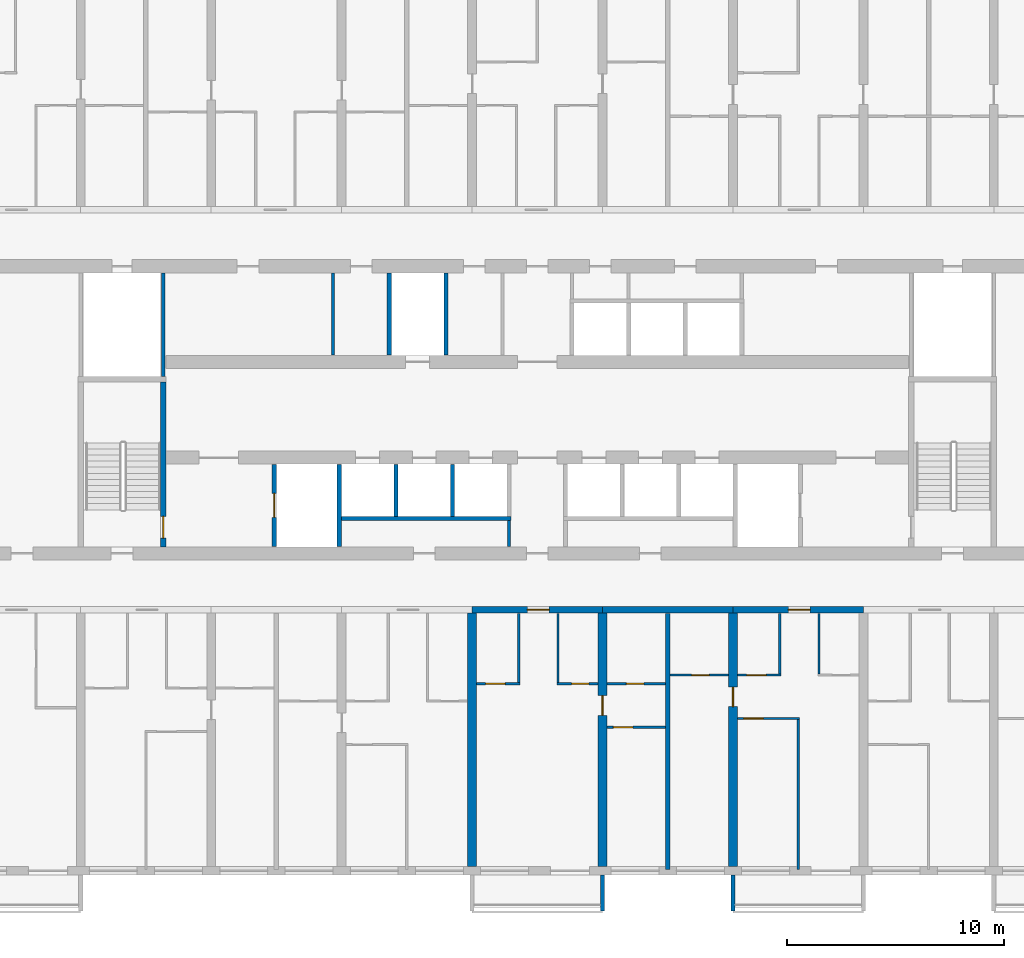
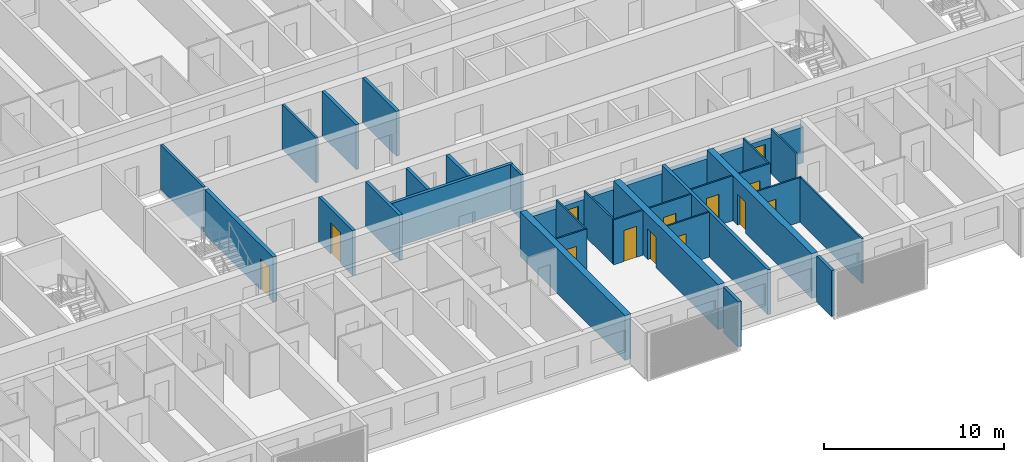
# One storey, part 6 of 40: 32 walls, 13 doors, 13 openings.
"""IFC4 building model written with IfcOpenShell, lengths in metres."""

from ifc_helpers import new_model, si_unit, direction, frame, frame_2d, origin, place, context, subcontext, project, spatial, polyline, rectangle, outline, extrude, source, transform, mapped, material, layer, layer_set, type_object, element, fill, save


model = new_model("IFC4")

# Units and contexts
model_context = context("Model", 3, precision=1e-05, world=origin(), true_north=direction((0.0, 1.0)))
body_context = subcontext(model_context, "Body", "Model", "MODEL_VIEW")
ifc_project = project(units=[si_unit("LENGTHUNIT", "METRE"), si_unit("AREAUNIT", "SQUARE_METRE"), si_unit("VOLUMEUNIT", "CUBIC_METRE"), si_unit("PLANEANGLEUNIT", "RADIAN"), si_unit("MASSUNIT", "GRAM", prefix="KILO")], contexts=[model_context])

# Site, building, storey
site_placement = place(None, origin())
site = spatial("IfcSite", under=ifc_project, at=site_placement, CompositionType="ELEMENT")
building_placement = place(site_placement, origin())
building = spatial("IfcBuilding", under=site, at=building_placement, Name="Poui Terraces", CompositionType="ELEMENT")
storey_placement = place(building_placement, frame((0.0, 0.0, 33.300048828125)))
storey = spatial("IfcBuildingStorey", under=building, at=storey_placement, Name="L08", CompositionType="ELEMENT", Elevation=33.300048828125)

# Wall
ifc_material_1 = material(Name="Fire-rated plasterboard wall")
ifc_layer_1 = layer(ifc_material_1, 0.14990234375)
ifc_layer_set_1 = layer_set([ifc_layer_1], Name="Fire-rated plasterboard wall")
wall_type_1 = type_object("IfcWallType", Name="CORRIDOR WALL 150", PredefinedType="PARTITIONING", material=ifc_layer_set_1)
wall_1_placement = place(storey_placement, frame((49.699951171875, 14.909912109375, 0.0), z_axis=(0.0, 0.0, 1.0), x_axis=(0.0, 1.0, 0.0)))
element("IfcWall", 1, at=wall_1_placement, inside=storey, type_object=wall_type_1, Name="CORRIDOR WALL 150", PredefinedType="PARTITIONING", context=body_context, shape_type="SweptSolid", body=[
    extrude(rectangle(XDim=1.190185546875, YDim=0.14990234375, at=frame_2d((0.59521484375, 0.0))), origin(), (0.0, 0.0, 1.0), 3.050048828125),
])

# Wall, opening, door
ifc_material_2 = material(Name="Concrete 80 MPa", Category="concrete")
ifc_layer_2 = layer(ifc_material_2, 0.300048828125)
ifc_layer_set_2 = layer_set([ifc_layer_2], Name="Concrete 80 MPa")
wall_type_2 = type_object("IfcWallType", Name="CORRIDOR WALL 300 80MPa", PredefinedType="SHEAR", material=ifc_layer_set_2)
wall_2_placement = place(storey_placement, frame((48.0, 12.0, 0.0), z_axis=(0.0, 0.0, 1.0), x_axis=(1.0, 0.0, 0.0)))
wall_2 = element("IfcWall", 2, at=wall_2_placement, inside=storey, type_object=wall_type_2, Name="CORRIDOR WALL LINE B BAY 9", PredefinedType="SHEAR", context=body_context, shape_type="SweptSolid", body=[
    extrude(rectangle(XDim=6.0, YDim=0.300048828125, at=frame_2d((3.0, 0.0))), origin(), (0.0, 0.0, 1.0), 2.449951171875),
])
opening_1_placement = place(wall_2_placement, frame((2.550048828125, 0.0, 0.0)))
opening_1 = element("IfcOpeningElement", 3, at=opening_1_placement, cuts=wall_2, Name="Opening FD30S", PredefinedType="OPENING", context=body_context, shape_type="SweptSolid", body=[
    extrude(rectangle(XDim=1.0, YDim=2.10009765625, at=frame_2d((0.5, 1.050048828125))), frame((0.0, 0.16015625, 0.0), z_axis=(0.0, -1.0, 0.0), x_axis=(1.0, 0.0, 0.0)), (0.0, 0.0, 1.0), 0.320068359375),
])
ifc_material_3 = material(Name="Steel fire door", Category="steel")
door_type_1 = type_object("IfcDoorType", Name="FLAT ENTRANCE DOOR 1000 X 2100", OperationType="NOTDEFINED", PredefinedType="DOOR", material=ifc_material_3)
door_1_placement = place(opening_1_placement, frame((1.0, 0.0, 0.0), z_axis=(0.0, 0.0, 1.0), x_axis=(-1.0, 0.0, 0.0)))
door_1 = element("IfcDoor", 4, at=door_1_placement, inside=storey, type_object=door_type_1, Name="FLAT ENTRANCE DOOR 121", OperationType="SINGLE_SWING_LEFT", OverallHeight=2.10009765625, OverallWidth=1.0, PredefinedType="DOOR", context=body_context, shape_type="SweptSolid", body=[
    extrude(rectangle(XDim=1.0, YDim=2.10009765625, at=frame_2d((0.5, 1.050048828125))), frame((0.0, 0.02490234375, 0.0), z_axis=(0.0, -1.0, 0.0), x_axis=(1.0, 0.0, 0.0)), (0.0, 0.0, 1.0), 0.050048828125),
])
fill(opening_1, door_1)

# Wall
wall_3_placement = place(storey_placement, frame((54.0, 12.0, 0.0), z_axis=(0.0, 0.0, 1.0), x_axis=(1.0, 0.0, 0.0)))
element("IfcWall", 5, at=wall_3_placement, inside=storey, type_object=wall_type_2, Name="CORRIDOR WALL LINE B BAY 10", PredefinedType="SHEAR", context=body_context, shape_type="SweptSolid", body=[
    extrude(rectangle(XDim=6.0, YDim=0.300048828125, at=frame_2d((3.0, 0.0))), origin(), (0.0, 0.0, 1.0), 2.449951171875),
])

# Wall, opening, door
wall_4_placement = place(storey_placement, frame((60.0, 12.0, 0.0), z_axis=(0.0, 0.0, 1.0), x_axis=(1.0, 0.0, 0.0)))
wall_4 = element("IfcWall", 6, at=wall_4_placement, inside=storey, type_object=wall_type_2, Name="CORRIDOR WALL LINE B BAY 11", PredefinedType="SHEAR", context=body_context, shape_type="SweptSolid", body=[
    extrude(rectangle(XDim=6.0, YDim=0.300048828125, at=frame_2d((3.0, 0.0))), origin(), (0.0, 0.0, 1.0), 2.449951171875),
])
opening_2_placement = place(wall_4_placement, frame((2.550048828125, 0.0, 0.0)))
opening_2 = element("IfcOpeningElement", 7, at=opening_2_placement, cuts=wall_4, Name="Opening FD30S", PredefinedType="OPENING", context=body_context, shape_type="SweptSolid", body=[
    extrude(rectangle(XDim=1.0, YDim=2.10009765625, at=frame_2d((0.5, 1.050048828125))), frame((0.0, 0.16015625, 0.0), z_axis=(0.0, -1.0, 0.0), x_axis=(1.0, 0.0, 0.0)), (0.0, 0.0, 1.0), 0.320068359375),
])
door_2_placement = place(opening_2_placement, frame((1.0, 0.0, 0.0), z_axis=(0.0, 0.0, 1.0), x_axis=(-1.0, 0.0, 0.0)))
door_2 = element("IfcDoor", 8, at=door_2_placement, inside=storey, type_object=door_type_1, Name="FLAT ENTRANCE DOOR 128", OperationType="SINGLE_SWING_LEFT", OverallHeight=2.10009765625, OverallWidth=1.0, PredefinedType="DOOR", context=body_context, shape_type="SweptSolid", body=[
    extrude(rectangle(XDim=1.0, YDim=2.10009765625, at=frame_2d((0.5, 1.050048828125))), frame((0.0, 0.02490234375, 0.0), z_axis=(0.0, -1.0, 0.0), x_axis=(1.0, 0.0, 0.0)), (0.0, 0.0, 1.0), 0.050048828125),
])
fill(opening_2, door_2)

# Wall
ifc_layer_3 = layer(ifc_material_2, 0.39990234375)
ifc_layer_set_3 = layer_set([ifc_layer_3], Name="Concrete 80 MPa")
wall_type_3 = type_object("IfcWallType", Name="CROSS WALL 400 80MPa", PredefinedType="SHEAR", material=ifc_layer_set_3)
wall_5_placement = place(storey_placement, frame((48.0, 0.199951171875, 0.0), z_axis=(0.0, 0.0, 1.0), x_axis=(0.0, 1.0, 0.0)))
element("IfcWall", 9, at=wall_5_placement, inside=storey, type_object=wall_type_3, Name="CROSS WALL LINE 9 SOUTH", PredefinedType="SHEAR", context=body_context, shape_type="SweptSolid", body=[
    extrude(rectangle(XDim=11.650146484375, YDim=0.39990234375, at=frame_2d((5.8251953125, 0.0))), origin(), (0.0, 0.0, 1.0), 3.050048828125),
])

# Wall, opening, door
wall_6_placement = place(storey_placement, frame((54.0, 0.199951171875, 0.0), z_axis=(0.0, 0.0, 1.0), x_axis=(0.0, 1.0, 0.0)))
wall_6 = element("IfcWall", 10, at=wall_6_placement, inside=storey, type_object=wall_type_3, Name="CROSS WALL LINE 10 SOUTH", PredefinedType="SHEAR", context=body_context, shape_type="SweptSolid", body=[
    extrude(rectangle(XDim=11.650146484375, YDim=0.39990234375, at=frame_2d((5.8251953125, 0.0))), origin(), (0.0, 0.0, 1.0), 3.050048828125),
])
opening_3_placement = place(wall_6_placement, frame((6.949951171875, 0.0, 0.0)))
opening_3 = element("IfcOpeningElement", 11, at=opening_3_placement, cuts=wall_6, Name="Opening D90", PredefinedType="OPENING", context=body_context, shape_type="SweptSolid", body=[
    extrude(rectangle(XDim=0.89990234375, YDim=2.10009765625, at=frame_2d((0.449951171875, 1.050048828125))), frame((0.0, 0.2099609375, 0.0), z_axis=(0.0, -1.0, 0.0), x_axis=(1.0, 0.0, 0.0)), (0.0, 0.0, 1.0), 0.419921875),
])
ifc_material_4 = material(Name="Solid core timber door", Category="wood")
door_type_2 = type_object("IfcDoorType", Name="INTERNAL DOOR 900 X 2100", OperationType="NOTDEFINED", PredefinedType="DOOR", material=ifc_material_4)
door_3_placement = place(opening_3_placement, origin())
door_3 = element("IfcDoor", 12, at=door_3_placement, inside=storey, type_object=door_type_2, Name="INTERNAL DOOR 123", OperationType="SINGLE_SWING_RIGHT", OverallHeight=2.10009765625, OverallWidth=0.89990234375, PredefinedType="DOOR", context=body_context, shape_type="SweptSolid", body=[
    extrude(rectangle(XDim=0.89990234375, YDim=2.10009765625, at=frame_2d((0.449951171875, 1.050048828125))), frame((0.0, 0.02490234375, 0.0), z_axis=(0.0, -1.0, 0.0), x_axis=(1.0, 0.0, 0.0)), (0.0, 0.0, 1.0), 0.050048828125),
])
fill(opening_3, door_3)

wall_7_placement = place(storey_placement, frame((60.0, 0.199951171875, 0.0), z_axis=(0.0, 0.0, 1.0), x_axis=(0.0, 1.0, 0.0)))
wall_7 = element("IfcWall", 13, at=wall_7_placement, inside=storey, type_object=wall_type_3, Name="CROSS WALL LINE 11 SOUTH", PredefinedType="SHEAR", context=body_context, shape_type="SweptSolid", body=[
    extrude(rectangle(XDim=11.650146484375, YDim=0.39990234375, at=frame_2d((5.8251953125, 0.0))), origin(), (0.0, 0.0, 1.0), 3.050048828125),
])
opening_4_placement = place(wall_7_placement, frame((7.35009765625, 0.0, 0.0)))
opening_4 = element("IfcOpeningElement", 14, at=opening_4_placement, cuts=wall_7, Name="Opening D90", PredefinedType="OPENING", context=body_context, shape_type="SweptSolid", body=[
    extrude(rectangle(XDim=0.89990234375, YDim=2.10009765625, at=frame_2d((0.449951171875, 1.050048828125))), frame((0.0, 0.2099609375, 0.0), z_axis=(0.0, -1.0, 0.0), x_axis=(1.0, 0.0, 0.0)), (0.0, 0.0, 1.0), 0.419921875),
])
door_4_placement = place(opening_4_placement, origin())
door_4 = element("IfcDoor", 15, at=door_4_placement, inside=storey, type_object=door_type_2, Name="INTERNAL DOOR 125", OperationType="SINGLE_SWING_RIGHT", OverallHeight=2.10009765625, OverallWidth=0.89990234375, PredefinedType="DOOR", context=body_context, shape_type="SweptSolid", body=[
    extrude(rectangle(XDim=0.89990234375, YDim=2.10009765625, at=frame_2d((0.449951171875, 1.050048828125))), frame((0.0, 0.02490234375, 0.0), z_axis=(0.0, -1.0, 0.0), x_axis=(1.0, 0.0, 0.0)), (0.0, 0.0, 1.0), 0.050048828125),
])
fill(opening_4, door_4)

ifc_material_5 = material(Name="Plasterboard partition")
ifc_layer_4 = layer(ifc_material_5, 0.10009765625)
ifc_layer_set_4 = layer_set([ifc_layer_4], Name="Plasterboard partition")
wall_type_4 = type_object("IfcWallType", Name="FLAT PARTITION 100", PredefinedType="PARTITIONING", material=ifc_layer_set_4)
wall_8_placement = place(storey_placement, frame((54.2099609375, 6.60009765625, 0.0), z_axis=(0.0, 0.0, 1.0), x_axis=(1.0, 0.0, 0.0)))
wall_8 = element("IfcWall", 16, at=wall_8_placement, inside=storey, type_object=wall_type_4, Name="FLAT PARTITION 100", PredefinedType="PARTITIONING", context=body_context, shape_type="SweptSolid", body=[
    extrude(rectangle(XDim=2.68994140625, YDim=0.10009765625, at=frame_2d((1.344970703125, 0.0))), origin(), (0.0, 0.0, 1.0), 3.050048828125),
])
opening_5_placement = place(wall_8_placement, frame((0.2900390625, 0.0, 0.0)))
opening_5 = element("IfcOpeningElement", 17, at=opening_5_placement, cuts=wall_8, Name="Opening D90", PredefinedType="OPENING", context=body_context, shape_type="SweptSolid", body=[
    extrude(rectangle(XDim=0.89990234375, YDim=2.10009765625, at=frame_2d((0.449951171875, 1.050048828125))), frame((0.0, 0.06005859375, 0.0), z_axis=(0.0, -1.0, 0.0), x_axis=(1.0, 0.0, 0.0)), (0.0, 0.0, 1.0), 0.1201171875),
])
door_5_placement = place(opening_5_placement, frame((0.89990234375, 0.0, 0.0), z_axis=(0.0, 0.0, 1.0), x_axis=(-1.0, 0.0, 0.0)))
door_5 = element("IfcDoor", 18, at=door_5_placement, inside=storey, type_object=door_type_2, Name="INTERNAL DOOR 118", OperationType="SINGLE_SWING_RIGHT", OverallHeight=2.10009765625, OverallWidth=0.89990234375, PredefinedType="DOOR", context=body_context, shape_type="SweptSolid", body=[
    extrude(rectangle(XDim=0.89990234375, YDim=2.10009765625, at=frame_2d((0.449951171875, 1.050048828125))), frame((0.0, 0.02490234375, 0.0), z_axis=(0.0, -1.0, 0.0), x_axis=(1.0, 0.0, 0.0)), (0.0, 0.0, 1.0), 0.050048828125),
])
fill(opening_5, door_5)

wall_9_placement = place(storey_placement, frame((60.2099609375, 7.0, 0.0), z_axis=(0.0, 0.0, 1.0), x_axis=(1.0, 0.0, 0.0)))
wall_9 = element("IfcWall", 19, at=wall_9_placement, inside=storey, type_object=wall_type_4, Name="FLAT PARTITION 100", PredefinedType="PARTITIONING", context=body_context, shape_type="SweptSolid", body=[
    extrude(rectangle(XDim=2.840087890625, YDim=0.10009765625, at=frame_2d((1.419921875, 0.0))), origin(), (0.0, 0.0, 1.0), 3.050048828125),
])
opening_6_placement = place(wall_9_placement, frame((0.2900390625, 0.0, 0.0)))
opening_6 = element("IfcOpeningElement", 20, at=opening_6_placement, cuts=wall_9, Name="Opening D90", PredefinedType="OPENING", context=body_context, shape_type="SweptSolid", body=[
    extrude(rectangle(XDim=0.89990234375, YDim=2.10009765625, at=frame_2d((0.449951171875, 1.050048828125))), frame((0.0, 0.06005859375, 0.0), z_axis=(0.0, -1.0, 0.0), x_axis=(1.0, 0.0, 0.0)), (0.0, 0.0, 1.0), 0.1201171875),
])
door_6_placement = place(opening_6_placement, origin())
door_6 = element("IfcDoor", 21, at=door_6_placement, inside=storey, type_object=door_type_2, Name="INTERNAL DOOR 126", OperationType="SINGLE_SWING_RIGHT", OverallHeight=2.10009765625, OverallWidth=0.89990234375, PredefinedType="DOOR", context=body_context, shape_type="SweptSolid", body=[
    extrude(rectangle(XDim=0.89990234375, YDim=2.10009765625, at=frame_2d((0.449951171875, 1.050048828125))), frame((0.0, 0.02490234375, 0.0), z_axis=(0.0, -1.0, 0.0), x_axis=(1.0, 0.0, 0.0)), (0.0, 0.0, 1.0), 0.050048828125),
])
fill(opening_6, door_6)

wall_10_placement = place(storey_placement, frame((48.2099609375, 8.60009765625, 0.0), z_axis=(0.0, 0.0, 1.0), x_axis=(1.0, 0.0, 0.0)))
wall_10 = element("IfcWall", 22, at=wall_10_placement, inside=storey, type_object=wall_type_4, Name="FLAT PARTITION 100", PredefinedType="PARTITIONING", context=body_context, shape_type="SweptSolid", body=[
    extrude(rectangle(XDim=1.989990234375, YDim=0.10009765625, at=frame_2d((0.9951171875, 0.0))), origin(), (0.0, 0.0, 1.0), 3.050048828125),
])
opening_7_placement = place(wall_10_placement, frame((0.4150390625, 0.0, 0.0)))
opening_7 = element("IfcOpeningElement", 23, at=opening_7_placement, cuts=wall_10, Name="Opening D90", PredefinedType="OPENING", context=body_context, shape_type="SweptSolid", body=[
    extrude(rectangle(XDim=0.89990234375, YDim=2.10009765625, at=frame_2d((0.449951171875, 1.050048828125))), frame((0.0, 0.06005859375, 0.0), z_axis=(0.0, -1.0, 0.0), x_axis=(1.0, 0.0, 0.0)), (0.0, 0.0, 1.0), 0.1201171875),
])
door_7_placement = place(opening_7_placement, origin())
door_7 = element("IfcDoor", 24, at=door_7_placement, inside=storey, type_object=door_type_2, Name="INTERNAL DOOR 120", OperationType="SINGLE_SWING_LEFT", OverallHeight=2.10009765625, OverallWidth=0.89990234375, PredefinedType="DOOR", context=body_context, shape_type="SweptSolid", body=[
    extrude(rectangle(XDim=0.89990234375, YDim=2.10009765625, at=frame_2d((0.449951171875, 1.050048828125))), frame((0.0, 0.02490234375, 0.0), z_axis=(0.0, -1.0, 0.0), x_axis=(1.0, 0.0, 0.0)), (0.0, 0.0, 1.0), 0.050048828125),
])
fill(opening_7, door_7)

wall_11_placement = place(storey_placement, frame((51.89990234375, 8.60009765625, 0.0), z_axis=(0.0, 0.0, 1.0), x_axis=(1.0, 0.0, 0.0)))
wall_11 = element("IfcWall", 25, at=wall_11_placement, inside=storey, type_object=wall_type_4, Name="FLAT PARTITION 100", PredefinedType="PARTITIONING", context=body_context, shape_type="SweptSolid", body=[
    extrude(rectangle(XDim=1.89013671875, YDim=0.10009765625, at=frame_2d((0.945068359375, 0.0))), origin(), (0.0, 0.0, 1.0), 3.050048828125),
])
opening_8_placement = place(wall_11_placement, frame((0.675048828125, 0.0, 0.0)))
opening_8 = element("IfcOpeningElement", 26, at=opening_8_placement, cuts=wall_11, Name="Opening D80", PredefinedType="OPENING", context=body_context, shape_type="SweptSolid", body=[
    extrude(rectangle(XDim=0.800048828125, YDim=2.10009765625, at=frame_2d((0.39990234375, 1.050048828125))), frame((0.0, 0.06005859375, 0.0), z_axis=(0.0, -1.0, 0.0), x_axis=(1.0, 0.0, 0.0)), (0.0, 0.0, 1.0), 0.1201171875),
])
door_type_3 = type_object("IfcDoorType", Name="BATHROOM, LAUNDRY AND STORE DOOR 800 X 2100", OperationType="NOTDEFINED", PredefinedType="DOOR", material=ifc_material_4)
door_8_placement = place(opening_8_placement, origin())
door_8 = element("IfcDoor", 27, at=door_8_placement, inside=storey, type_object=door_type_3, Name="BATHROOM, LAUNDRY AND STORE DOOR 122", OperationType="SINGLE_SWING_RIGHT", OverallHeight=2.10009765625, OverallWidth=0.800048828125, PredefinedType="DOOR", context=body_context, shape_type="SweptSolid", body=[
    extrude(rectangle(XDim=0.800048828125, YDim=2.10009765625, at=frame_2d((0.39990234375, 1.050048828125))), frame((0.0, 0.02490234375, 0.0), z_axis=(0.0, -1.0, 0.0), x_axis=(1.0, 0.0, 0.0)), (0.0, 0.0, 1.0), 0.050048828125),
])
fill(opening_8, door_8)

wall_12_placement = place(storey_placement, frame((54.2099609375, 8.60009765625, 0.0), z_axis=(0.0, 0.0, 1.0), x_axis=(1.0, 0.0, 0.0)))
wall_12 = element("IfcWall", 28, at=wall_12_placement, inside=storey, type_object=wall_type_4, Name="FLAT PARTITION 100", PredefinedType="PARTITIONING", context=body_context, shape_type="SweptSolid", body=[
    extrude(rectangle(XDim=2.68994140625, YDim=0.10009765625, at=frame_2d((1.344970703125, 0.0))), origin(), (0.0, 0.0, 1.0), 3.050048828125),
])
opening_9_placement = place(wall_12_placement, frame((0.889892578125, 0.0, 0.0)))
opening_9 = element("IfcOpeningElement", 29, at=opening_9_placement, cuts=wall_12, Name="Opening D80", PredefinedType="OPENING", context=body_context, shape_type="SweptSolid", body=[
    extrude(rectangle(XDim=0.800048828125, YDim=2.10009765625, at=frame_2d((0.39990234375, 1.050048828125))), frame((0.0, 0.06005859375, 0.0), z_axis=(0.0, -1.0, 0.0), x_axis=(1.0, 0.0, 0.0)), (0.0, 0.0, 1.0), 0.1201171875),
])
door_9_placement = place(opening_9_placement, origin())
door_9 = element("IfcDoor", 30, at=door_9_placement, inside=storey, type_object=door_type_3, Name="BATHROOM, LAUNDRY AND STORE DOOR 119", OperationType="SINGLE_SWING_RIGHT", OverallHeight=2.10009765625, OverallWidth=0.800048828125, PredefinedType="DOOR", context=body_context, shape_type="SweptSolid", body=[
    extrude(rectangle(XDim=0.800048828125, YDim=2.10009765625, at=frame_2d((0.39990234375, 1.050048828125))), frame((0.0, 0.02490234375, 0.0), z_axis=(0.0, -1.0, 0.0), x_axis=(1.0, 0.0, 0.0)), (0.0, 0.0, 1.0), 0.050048828125),
])
fill(opening_9, door_9)

wall_13_placement = place(storey_placement, frame((57.10009765625, 9.0, 0.0), z_axis=(0.0, 0.0, 1.0), x_axis=(1.0, 0.0, 0.0)))
wall_13 = element("IfcWall", 31, at=wall_13_placement, inside=storey, type_object=wall_type_4, Name="FLAT PARTITION 100", PredefinedType="PARTITIONING", context=body_context, shape_type="SweptSolid", body=[
    extrude(rectangle(XDim=2.68994140625, YDim=0.10009765625, at=frame_2d((1.344970703125, 0.0))), origin(), (0.0, 0.0, 1.0), 3.050048828125),
])
opening_10_placement = place(wall_13_placement, frame((1.0, 0.0, 0.0)))
opening_10 = element("IfcOpeningElement", 32, at=opening_10_placement, cuts=wall_13, Name="Opening D80", PredefinedType="OPENING", context=body_context, shape_type="SweptSolid", body=[
    extrude(rectangle(XDim=0.800048828125, YDim=2.10009765625, at=frame_2d((0.39990234375, 1.050048828125))), frame((0.0, 0.06005859375, 0.0), z_axis=(0.0, -1.0, 0.0), x_axis=(1.0, 0.0, 0.0)), (0.0, 0.0, 1.0), 0.1201171875),
])
door_10_placement = place(opening_10_placement, origin())
door_10 = element("IfcDoor", 33, at=door_10_placement, inside=storey, type_object=door_type_3, Name="BATHROOM, LAUNDRY AND STORE DOOR 124", OperationType="SINGLE_SWING_LEFT", OverallHeight=2.10009765625, OverallWidth=0.800048828125, PredefinedType="DOOR", context=body_context, shape_type="SweptSolid", body=[
    extrude(rectangle(XDim=0.800048828125, YDim=2.10009765625, at=frame_2d((0.39990234375, 1.050048828125))), frame((0.0, 0.02490234375, 0.0), z_axis=(0.0, -1.0, 0.0), x_axis=(1.0, 0.0, 0.0)), (0.0, 0.0, 1.0), 0.050048828125),
])
fill(opening_10, door_10)

wall_14_placement = place(storey_placement, frame((60.2099609375, 9.0, 0.0), z_axis=(0.0, 0.0, 1.0), x_axis=(1.0, 0.0, 0.0)))
wall_14 = element("IfcWall", 34, at=wall_14_placement, inside=storey, type_object=wall_type_4, Name="FLAT PARTITION 100", PredefinedType="PARTITIONING", context=body_context, shape_type="SweptSolid", body=[
    extrude(rectangle(XDim=1.989990234375, YDim=0.10009765625, at=frame_2d((0.9951171875, 0.0))), origin(), (0.0, 0.0, 1.0), 3.050048828125),
])
opening_11_placement = place(wall_14_placement, frame((0.4150390625, 0.0, 0.0)))
opening_11 = element("IfcOpeningElement", 35, at=opening_11_placement, cuts=wall_14, Name="Opening D90", PredefinedType="OPENING", context=body_context, shape_type="SweptSolid", body=[
    extrude(rectangle(XDim=0.89990234375, YDim=2.10009765625, at=frame_2d((0.449951171875, 1.050048828125))), frame((0.0, 0.06005859375, 0.0), z_axis=(0.0, -1.0, 0.0), x_axis=(1.0, 0.0, 0.0)), (0.0, 0.0, 1.0), 0.1201171875),
])
door_11_placement = place(opening_11_placement, origin())
door_11 = element("IfcDoor", 36, at=door_11_placement, inside=storey, type_object=door_type_2, Name="INTERNAL DOOR 127", OperationType="SINGLE_SWING_LEFT", OverallHeight=2.10009765625, OverallWidth=0.89990234375, PredefinedType="DOOR", context=body_context, shape_type="SweptSolid", body=[
    extrude(rectangle(XDim=0.89990234375, YDim=2.10009765625, at=frame_2d((0.449951171875, 1.050048828125))), frame((0.0, 0.02490234375, 0.0), z_axis=(0.0, -1.0, 0.0), x_axis=(1.0, 0.0, 0.0)), (0.0, 0.0, 1.0), 0.050048828125),
])
fill(opening_11, door_11)

# Walls
for number, where, z_axis, x_axis, name in (
    (37, (50.14990234375, 8.64990234375, 0.0), (0.0, 0.0, 1.0), (0.0, 1.0, 0.0), "FLAT PARTITION 100"),
    (38, (51.949951171875, 8.64990234375, 0.0), (0.0, 0.0, 1.0), (0.0, 1.0, 0.0), "FLAT PARTITION 100"),
):
    element("IfcWall", number, at=place(storey_placement, frame(where, z_axis=z_axis, x_axis=x_axis)), inside=storey, type_object=wall_type_4, Name=name, PredefinedType="PARTITIONING", context=body_context, shape_type="SweptSolid", body=[
        extrude(rectangle(XDim=3.190185546875, YDim=0.10009765625, at=frame_2d((1.59521484375, 0.0))), origin(), (0.0, 0.0, 1.0), 3.050048828125),
    ])
wall_15_placement = place(storey_placement, frame((62.14990234375, 9.050048828125, 0.0), z_axis=(0.0, 0.0, 1.0), x_axis=(0.0, 1.0, 0.0)))
element("IfcWall", 39, at=wall_15_placement, inside=storey, type_object=wall_type_4, Name="FLAT PARTITION 100", PredefinedType="PARTITIONING", context=body_context, shape_type="SweptSolid", body=[
    extrude(rectangle(XDim=2.7900390625, YDim=0.10009765625, at=frame_2d((1.39501953125, 0.0))), origin(), (0.0, 0.0, 1.0), 3.050048828125),
])
wall_16_placement = place(storey_placement, frame((63.0, 0.06005859375, 0.0), z_axis=(0.0, 0.0, 1.0), x_axis=(0.0, 1.0, 0.0)))
element("IfcWall", 40, at=wall_16_placement, inside=storey, type_object=wall_type_4, Name="FLAT PARTITION 100", PredefinedType="PARTITIONING", context=body_context, shape_type="SweptSolid", body=[
    extrude(rectangle(XDim=6.889892578125, YDim=0.10009765625, at=frame_2d((3.44482421875, 0.0))), origin(), (0.0, 0.0, 1.0), 3.050048828125),
])
wall_17_placement = place(storey_placement, frame((63.949951171875, 9.050048828125, 0.0), z_axis=(0.0, 0.0, 1.0), x_axis=(0.0, 1.0, 0.0)))
element("IfcWall", 41, at=wall_17_placement, inside=storey, type_object=wall_type_4, Name="FLAT PARTITION 100", PredefinedType="PARTITIONING", context=body_context, shape_type="SweptSolid", body=[
    extrude(rectangle(XDim=2.7900390625, YDim=0.10009765625, at=frame_2d((1.39501953125, 0.0))), origin(), (0.0, 0.0, 1.0), 3.050048828125),
])
ifc_material_6 = material(Name="Fire-rated masonry wall", Category="masonry")
ifc_layer_5 = layer(ifc_material_6, 0.199951171875)
ifc_layer_set_5 = layer_set([ifc_layer_5], Name="Fire-rated masonry wall")
wall_type_5 = type_object("IfcWallType", Name="FLAT PARTY WALL 200", PredefinedType="PARTITIONING", material=ifc_layer_set_5)
wall_18_placement = place(storey_placement, frame((57.0, 0.06005859375, 0.0), z_axis=(0.0, 0.0, 1.0), x_axis=(0.0, 1.0, 0.0)))
element("IfcWall", 42, at=wall_18_placement, inside=storey, type_object=wall_type_5, Name="FLAT PARTY WALL 200", PredefinedType="PARTITIONING", context=body_context, shape_type="SweptSolid", body=[
    extrude(rectangle(XDim=11.780029296875, YDim=0.199951171875, at=frame_2d((5.89013671875, 0.0))), origin(), (0.0, 0.0, 1.0), 3.050048828125),
])
ifc_layer_6 = layer(ifc_material_5, 0.14990234375)
ifc_layer_set_6 = layer_set([ifc_layer_6], Name="Plasterboard partition")
wall_type_6 = type_object("IfcWallType", Name="PARTITION WALL 150", PredefinedType="PARTITIONING", material=ifc_layer_set_6)
wall_19_placement = place(storey_placement, frame((41.60009765625, 23.7099609375, 0.0), z_axis=(0.0, 0.0, 1.0), x_axis=(0.0, 1.0, 0.0)))
element("IfcWall", 43, at=wall_19_placement, inside=storey, type_object=wall_type_6, Name="PARTITION WALL 150", PredefinedType="PARTITIONING", context=body_context, shape_type="SweptSolid", body=[
    extrude(rectangle(XDim=3.780029296875, YDim=0.14990234375, at=frame_2d((1.89013671875, 0.0))), origin(), (0.0, 0.0, 1.0), 3.050048828125),
])
ifc_material_7 = material(Name="Fire-rated plasterboard riser wall")
ifc_layer_7 = layer(ifc_material_7, 0.14990234375)
ifc_layer_set_7 = layer_set([ifc_layer_7], Name="Fire-rated plasterboard riser wall")
wall_type_7 = type_object("IfcWallType", Name="RISER WALL 150", PredefinedType="PARTITIONING", material=ifc_layer_set_7)
wall_20_placement = place(storey_placement, frame((33.800048828125, 22.735107421875, 0.0), z_axis=(0.0, 0.0, 1.0), x_axis=(0.0, 1.0, 0.0)))
element("IfcWall", 44, at=wall_20_placement, inside=storey, type_object=wall_type_7, Name="RISER WALL 150", PredefinedType="PARTITIONING", context=body_context, shape_type="SweptSolid", body=[
    extrude(rectangle(XDim=4.7548828125, YDim=0.14990234375, at=frame_2d((2.37744140625, 0.0))), origin(), (0.0, 0.0, 1.0), 3.050048828125),
])
ifc_material_8 = material(Name="Fire-rated masonry shaft wall", Category="masonry")
ifc_layer_8 = layer(ifc_material_8, 0.199951171875)
ifc_layer_set_8 = layer_set([ifc_layer_8], Name="Fire-rated masonry shaft wall")
wall_type_8 = type_object("IfcWallType", Name="SHAFT WALL 200", PredefinedType="PARTITIONING", material=ifc_layer_set_8)
wall_21_placement = place(storey_placement, frame((42.0, 16.199951171875, 0.0), z_axis=(0.0, 0.0, 1.0), x_axis=(1.0, 0.0, 0.0)))
element("IfcWall", 45, at=wall_21_placement, inside=storey, type_object=wall_type_8, Name="SHAFT WALL 200", PredefinedType="PARTITIONING", context=body_context, shape_type="SweptSolid", body=[
    extrude(rectangle(XDim=7.800048828125, YDim=0.199951171875, at=frame_2d((3.89990234375, 0.0))), origin(), (0.0, 0.0, 1.0), 3.050048828125),
])

# Wall, opening, door
wall_22_placement = place(storey_placement, frame((38.89990234375, 14.909912109375, 0.0), z_axis=(0.0, 0.0, 1.0), x_axis=(0.0, 1.0, 0.0)))
wall_22 = element("IfcWall", 46, at=wall_22_placement, inside=storey, type_object=wall_type_8, Name="SHAFT WALL 200", PredefinedType="PARTITIONING", context=body_context, shape_type="SweptSolid", body=[
    extrude(rectangle(XDim=3.780029296875, YDim=0.199951171875, at=frame_2d((1.89013671875, 0.0))), origin(), (0.0, 0.0, 1.0), 3.050048828125),
])
opening_12_placement = place(wall_22_placement, frame((1.340087890625, 0.0, 0.0)))
opening_12 = element("IfcOpeningElement", 47, at=opening_12_placement, cuts=wall_22, Name="Opening LD", PredefinedType="OPENING", context=body_context, shape_type="SweptSolid", body=[
    extrude(rectangle(XDim=1.10009765625, YDim=2.10009765625, at=frame_2d((0.550048828125, 1.050048828125))), frame((0.0, 0.10986328125, 0.0), z_axis=(0.0, -1.0, 0.0), x_axis=(1.0, 0.0, 0.0)), (0.0, 0.0, 1.0), 0.219970703125),
])
ifc_material_9 = material(Name="Stainless steel sliding door", Category="steel")
door_type_4 = type_object("IfcDoorType", Name="LIFT LANDING DOOR 1100 X 2100", OperationType="DOUBLE_DOOR_SLIDING", PredefinedType="DOOR", material=ifc_material_9)
door_12_placement = place(opening_12_placement, origin())
door_12 = element("IfcDoor", 48, at=door_12_placement, inside=storey, type_object=door_type_4, Name="LANDING DOOR", OperationType="DOUBLE_DOOR_SLIDING", OverallHeight=2.10009765625, OverallWidth=1.10009765625, PredefinedType="DOOR", context=body_context, shape_type="SweptSolid", body=[
    extrude(rectangle(XDim=1.10009765625, YDim=2.10009765625, at=frame_2d((0.550048828125, 1.050048828125))), frame((0.0, 0.02490234375, 0.0), z_axis=(0.0, -1.0, 0.0), x_axis=(1.0, 0.0, 0.0)), (0.0, 0.0, 1.0), 0.050048828125),
])
fill(opening_12, door_12)

# Walls
for number, where, z_axis, x_axis, name in (
    (49, (41.89990234375, 14.909912109375, 0.0), (0.0, 0.0, 1.0), (0.0, 1.0, 0.0), "SHAFT WALL 200"),
    (50, (44.199951171875, 23.7099609375, 0.0), (0.0, 0.0, 1.0), (0.0, 1.0, 0.0), "SHAFT WALL 200"),
):
    element("IfcWall", number, at=place(storey_placement, frame(where, z_axis=z_axis, x_axis=x_axis)), inside=storey, type_object=wall_type_8, Name=name, PredefinedType="PARTITIONING", context=body_context, shape_type="SweptSolid", body=[
        extrude(rectangle(XDim=3.780029296875, YDim=0.199951171875, at=frame_2d((1.89013671875, 0.0))), origin(), (0.0, 0.0, 1.0), 3.050048828125),
    ])
wall_23_placement = place(storey_placement, frame((44.5, 16.300048828125, 0.0), z_axis=(0.0, 0.0, 1.0), x_axis=(0.0, 1.0, 0.0)))
element("IfcWall", 51, at=wall_23_placement, inside=storey, type_object=wall_type_8, Name="SHAFT WALL 200", PredefinedType="PARTITIONING", context=body_context, shape_type="SweptSolid", body=[
    extrude(rectangle(XDim=2.389892578125, YDim=0.199951171875, at=frame_2d((1.19482421875, 0.0))), origin(), (0.0, 0.0, 1.0), 3.050048828125),
])
wall_24_placement = place(storey_placement, frame((46.800048828125, 23.7099609375, 0.0), z_axis=(0.0, 0.0, 1.0), x_axis=(0.0, 1.0, 0.0)))
element("IfcWall", 52, at=wall_24_placement, inside=storey, type_object=wall_type_8, Name="SHAFT WALL 200", PredefinedType="PARTITIONING", context=body_context, shape_type="SweptSolid", body=[
    extrude(rectangle(XDim=3.780029296875, YDim=0.199951171875, at=frame_2d((1.89013671875, 0.0))), origin(), (0.0, 0.0, 1.0), 3.050048828125),
])
wall_25_placement = place(storey_placement, frame((47.10009765625, 16.300048828125, 0.0), z_axis=(0.0, 0.0, 1.0), x_axis=(0.0, 1.0, 0.0)))
element("IfcWall", 53, at=wall_25_placement, inside=storey, type_object=wall_type_8, Name="SHAFT WALL 200", PredefinedType="PARTITIONING", context=body_context, shape_type="SweptSolid", body=[
    extrude(rectangle(XDim=2.389892578125, YDim=0.199951171875, at=frame_2d((1.19482421875, 0.0))), origin(), (0.0, 0.0, 1.0), 3.050048828125),
])

# Wall, opening, door
ifc_layer_9 = layer(ifc_material_2, 0.25)
ifc_layer_set_9 = layer_set([ifc_layer_9], Name="Concrete 80 MPa")
wall_type_9 = type_object("IfcWallType", Name="STAIR CORE WALL 250 80 MPA", PredefinedType="SOLIDWALL", material=ifc_layer_set_9)
wall_26_placement = place(storey_placement, frame((33.800048828125, 14.89990234375, 0.0), z_axis=(0.0, 0.0, 1.0), x_axis=(0.0, 1.0, 0.0)))
wall_26 = element("IfcWall", 54, at=wall_26_placement, inside=storey, type_object=wall_type_9, Name="STAIR CORE WALL", PredefinedType="SOLIDWALL", context=body_context, shape_type="SweptSolid", body=[
    extrude(rectangle(XDim=7.5751953125, YDim=0.25, at=frame_2d((3.78759765625, 0.0))), origin(), (0.0, 0.0, 1.0), 3.050048828125),
])
opening_13_placement = place(wall_26_placement, frame((0.39990234375, 0.0, 0.0)))
opening_13 = element("IfcOpeningElement", 55, at=opening_13_placement, cuts=wall_26, Name="Opening FD60S", PredefinedType="OPENING", context=body_context, shape_type="SweptSolid", body=[
    extrude(rectangle(XDim=1.0, YDim=2.10009765625, at=frame_2d((0.5, 1.050048828125))), frame((0.0, 0.135009765625, 0.0), z_axis=(0.0, -1.0, 0.0), x_axis=(1.0, 0.0, 0.0)), (0.0, 0.0, 1.0), 0.27001953125),
])
door_type_5 = type_object("IfcDoorType", Name="STAIR DOOR 1000 X 2100", OperationType="NOTDEFINED", PredefinedType="DOOR", material=ifc_material_3)
door_13_placement = place(opening_13_placement, origin())
door_13 = element("IfcDoor", 56, at=door_13_placement, inside=storey, type_object=door_type_5, Name="STAIR DOOR 151", OperationType="SINGLE_SWING_LEFT", OverallHeight=2.10009765625, OverallWidth=1.0, PredefinedType="DOOR", context=body_context, shape_type="SweptSolid", body=[
    extrude(rectangle(XDim=1.0, YDim=2.10009765625, at=frame_2d((0.5, 1.050048828125))), frame((0.0, 0.02490234375, 0.0), z_axis=(0.0, -1.0, 0.0), x_axis=(1.0, 0.0, 0.0)), (0.0, 0.0, 1.0), 0.050048828125),
])
fill(opening_13, door_13)

# Walls
ifc_material_10 = material(Name="Precast concrete 40 MPa", Category="concrete")
ifc_layer_10 = layer(ifc_material_10, 0.199951171875)
ifc_layer_set_10 = layer_set([ifc_layer_10], Name="Precast concrete 40 MPa")
wall_type_10 = type_object("IfcWallType", Name="REAR FIN 200", PredefinedType="STANDARD", material=ifc_layer_set_10)
shared_shape = source(origin(), body_context, "Body", "SweptSolid", [
    extrude(outline(polyline([(0.0, 0.0), (0.2001953125, 0.0), (0.2001953125, 1.650146484375), (0.0, 1.650146484375), (0.0, 0.0)])), origin(), (0.0, 0.0, 1.0), 3.099853515625),
])
for number, where, name in (
    (57, (53.89990234375, -1.85009765625, 0.0), "REAR FIN"),
    (58, (59.89990234375, -1.85009765625, 0.0), "REAR FIN"),
):
    element("IfcWall", number, at=place(storey_placement, frame(where)), inside=storey, type_object=wall_type_10, Name=name, PredefinedType="STANDARD", context=body_context, shape_type="MappedRepresentation", body=[
        mapped(shared_shape, transform((0.0, 0.0, 0.0))),
    ])

save(model, "model.ifc")
